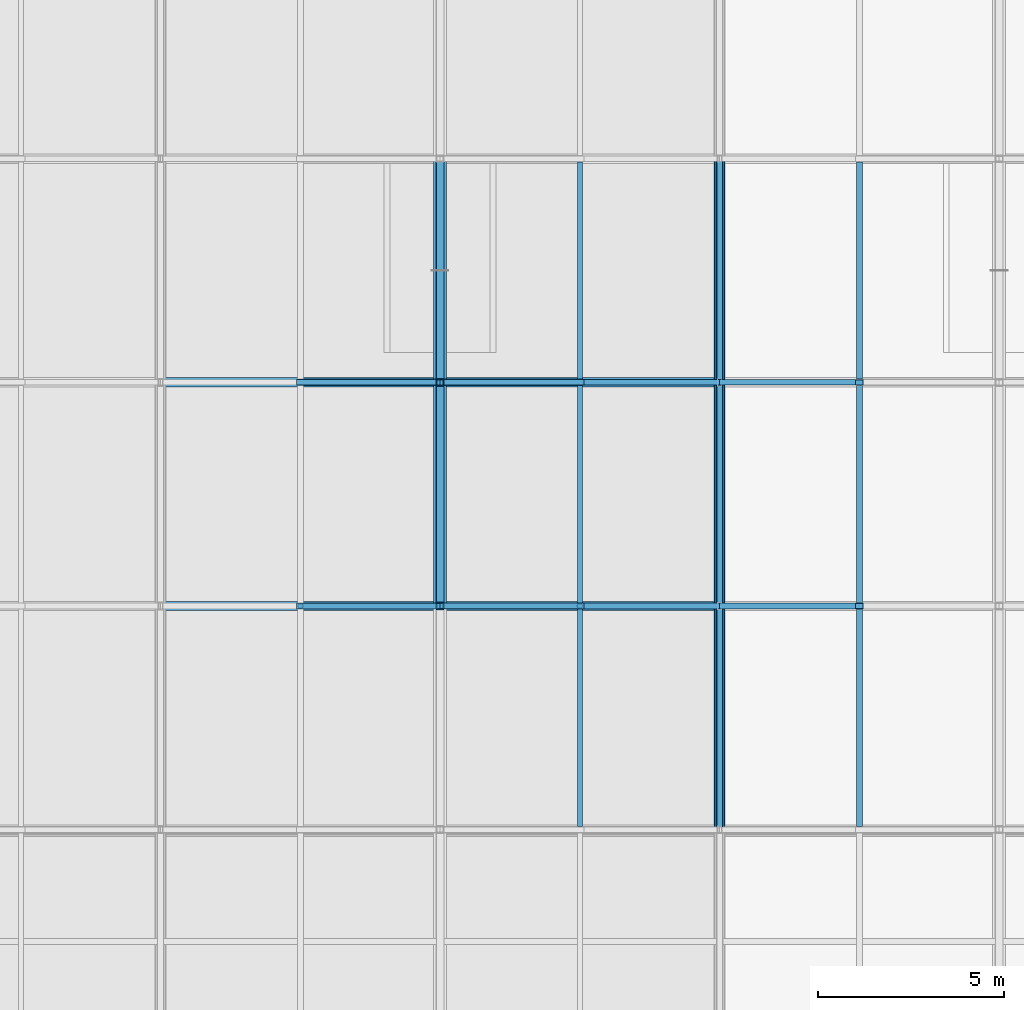
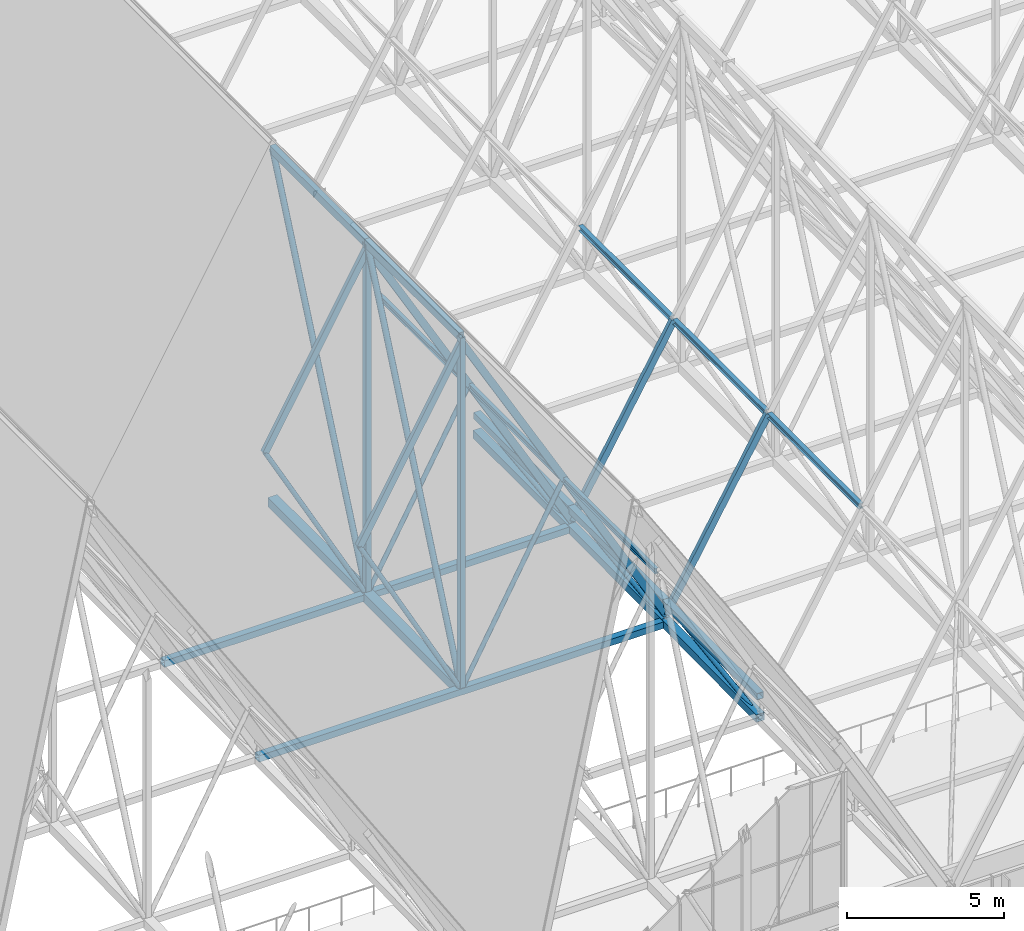
# One storey, part 134 of 324: 31 members, 6 beams.
"""IFC4 building model written with IfcOpenShell, lengths in metres."""

from ifc_helpers import new_model, si_unit, direction, frame, origin, origin_2d, place, context, subcontext, project, spatial, hollow_rectangle, hollow_circle, i_section, extrude, material, material_profile, profile_set, type_object, element, save


model = new_model("IFC4")

# Units and contexts
model_context = context("Model", 3, precision=1e-05, world=origin(), true_north=direction((0.0, 1.0)))
body_context = subcontext(model_context, "Body", "Model", "MODEL_VIEW")
ifc_project = project(units=[si_unit("LENGTHUNIT", "METRE"), si_unit("AREAUNIT", "SQUARE_METRE"), si_unit("VOLUMEUNIT", "CUBIC_METRE"), si_unit("PLANEANGLEUNIT", "RADIAN"), si_unit("MASSUNIT", "GRAM", prefix="KILO")], contexts=[model_context])

# Site, building, storey
site_placement = place(None, origin())
site = spatial("IfcSite", under=ifc_project, at=site_placement, CompositionType="ELEMENT")
building_placement = place(site_placement, origin())
building = spatial("IfcBuilding", under=site, at=building_placement, Name="Solvenia Promenade Tram Depot", CompositionType="ELEMENT")
storey_placement = place(building_placement, frame((0.0, 0.0, 4.5)))
storey = spatial("IfcBuildingStorey", under=building, at=storey_placement, Name="L01", CompositionType="ELEMENT", Elevation=4.5)

# Members
ifc_material_1 = material(Name="Structural steel ASTM A500 Gr. C", Category="steel")
ifc_material_profile_1 = material_profile(ifc_material_1, hollow_circle(Radius=0.109619140625, WallThickness=0.008056640625, at=origin_2d()), Name="CHS219.1x8", Category="steel")
ifc_profile_set_1 = profile_set([ifc_material_profile_1], Name="Structural steel ASTM A500 Gr. C")
member_type_1 = type_object("IfcMemberType", Name="Brace-CHS219x8", PredefinedType="BRACE", material=ifc_profile_set_1)
member_1_placement = place(storey_placement, frame((82.5, 84.0, 2.614013671875), z_axis=(0.0, 0.401020841263, 0.916068930197), x_axis=(-1.0, 0.0, 0.0)))
element("IfcMember", 1, at=member_1_placement, inside=storey, type_object=member_type_1, Name="Arched Truss T12 Web Diagonal S04", PredefinedType="BRACE", context=body_context, shape_type="SweptSolid", body=[
    extrude(hollow_circle(Radius=0.109619140625, WallThickness=0.008056640625, at=origin_2d()), origin(), (0.0, 0.0, 1.0), 14.9619140625),
])
member_2_placement = place(storey_placement, frame((82.5, 90.0, 2.656005859375), z_axis=(0.0, 0.402054291977, 0.915615828993), x_axis=(-1.0, 0.0, 0.0)))
element("IfcMember", 2, at=member_2_placement, inside=storey, type_object=member_type_1, Name="Arched Truss T12 Web Diagonal S05", PredefinedType="BRACE", context=body_context, shape_type="SweptSolid", body=[
    extrude(hollow_circle(Radius=0.109619140625, WallThickness=0.008056640625, at=origin_2d()), origin(), (0.0, 0.0, 1.0), 14.92333984375),
])
ifc_material_profile_2 = material_profile(ifc_material_1, hollow_rectangle(XDim=0.14990234375, YDim=0.25, WallThickness=0.010009765625, at=origin_2d()), Name="HSS250x150x10", Category="steel")
ifc_profile_set_2 = profile_set([ifc_material_profile_2], Name="Structural steel ASTM A500 Gr. C")
member_type_2 = type_object("IfcMemberType", Name="Chord-HSS250x150x10", PredefinedType="CHORD", material=ifc_profile_set_2)
for number, where, z_axis, x_axis, name in (
    (3, (78.75, 84.0, 9.501220703125), (0.494861595532, 0.0, 0.868971806946), (0.0, 1.0, 0.0), "Zigzag Gable 06 West Upper Rafter"),
    (4, (82.5, 84.0, 16.086181640625), (0.494861595532, 0.0, -0.868971806946), (0.0, 1.0, 0.0), "Zigzag Gable 06 East Upper Rafter"),
    (5, (86.25, 84.0, 9.501220703125), (0.494861595532, 0.0, -0.868971806946), (0.0, 1.0, 0.0), "Zigzag Gable 06 East Lower Rafter"),
    (6, (78.75, 90.0, 9.501220703125), (0.494861595532, 0.0, 0.868971806946), (0.0, 1.0, 0.0), "Zigzag Gable 06 West Upper Rafter"),
    (7, (82.5, 90.0, 16.086181640625), (0.494861595532, 0.0, -0.868971806946), (0.0, 1.0, 0.0), "Zigzag Gable 06 East Upper Rafter"),
    (8, (86.25, 90.0, 9.501220703125), (0.494861595532, 0.0, -0.868971806946), (0.0, 1.0, 0.0), "Zigzag Gable 06 East Lower Rafter"),
):
    element("IfcMember", number, at=place(storey_placement, frame(where, z_axis=z_axis, x_axis=x_axis)), inside=storey, type_object=member_type_2, Name=name, PredefinedType="CHORD", context=body_context, shape_type="SweptSolid", body=[
        extrude(hollow_rectangle(XDim=0.14990234375, YDim=0.25, WallThickness=0.010009765625, at=origin_2d()), origin(), (0.0, 0.0, 1.0), 7.577880859375),
    ])
for number, where, z_axis, x_axis, name in (
    (9, (90.0, 84.0, 2.921142578125), (0.501516268578, 0.0, 0.865148214095), (0.0, 1.0, 0.0), "Zigzag Gable 07 West Lower Rafter"),
    (10, (90.0, 90.0, 2.921142578125), (0.501516268578, 0.0, 0.865148214095), (0.0, 1.0, 0.0), "Zigzag Gable 07 West Lower Rafter"),
):
    element("IfcMember", number, at=place(storey_placement, frame(where, z_axis=z_axis, x_axis=x_axis)), inside=storey, type_object=member_type_2, Name=name, PredefinedType="CHORD", context=body_context, shape_type="SweptSolid", body=[
        extrude(hollow_rectangle(XDim=0.14990234375, YDim=0.25, WallThickness=0.010009765625, at=origin_2d()), origin(), (0.0, 0.0, 1.0), 7.477294921875),
    ])
ifc_material_profile_3 = material_profile(ifc_material_1, hollow_rectangle(XDim=0.25, YDim=0.25, WallThickness=0.010009765625, at=origin_2d()), Name="HSS250x250x10", Category="steel")
ifc_profile_set_3 = profile_set([ifc_material_profile_3], Name="Structural steel ASTM A500 Gr. C")
member_type_3 = type_object("IfcMemberType", Name="Chord-HSS250x250x10", PredefinedType="CHORD", material=ifc_profile_set_3)
for number, where, z_axis, x_axis, name in (
    (11, (90.0, 78.0, 3.3798828125), (0.0, 1.0, 0.0), (-1.0, 0.0, 0.0), "Arched Truss T13 Upper Chord S03"),
    (12, (90.0, 84.0, 3.3798828125), (0.0, 1.0, 0.0), (-1.0, 0.0, 0.0), "Arched Truss T13 Upper Chord S04"),
    (13, (90.0, 90.0, 3.3798828125), (0.0, 1.0, 0.0), (-1.0, 0.0, 0.0), "Arched Truss T13 Upper Chord S05"),
):
    element("IfcMember", number, at=place(storey_placement, frame(where, z_axis=z_axis, x_axis=x_axis)), inside=storey, type_object=member_type_3, Name=name, PredefinedType="CHORD", context=body_context, shape_type="SweptSolid", body=[
        extrude(hollow_rectangle(XDim=0.25, YDim=0.25, WallThickness=0.010009765625, at=origin_2d()), origin(), (0.0, 0.0, 1.0), 6.0),
    ])
for number, where, z_axis, x_axis, name in (
    (14, (75.0, 84.0, 2.614013671875), (1.0, 0.0, 0.0), (0.0, 1.0, 0.0), "Bottom-Chord Catenary Lateral Tie 048"),
    (15, (75.0, 90.0, 2.656005859375), (1.0, 0.0, 0.0), (0.0, 1.0, 0.0), "Bottom-Chord Catenary Lateral Tie 049"),
):
    element("IfcMember", number, at=place(storey_placement, frame(where, z_axis=z_axis, x_axis=x_axis)), inside=storey, type_object=member_type_3, Name=name, PredefinedType="CHORD", context=body_context, shape_type="SweptSolid", body=[
        extrude(hollow_rectangle(XDim=0.25, YDim=0.25, WallThickness=0.010009765625, at=origin_2d()), origin(), (0.0, 0.0, 1.0), 15.0),
    ])
ifc_material_profile_4 = material_profile(ifc_material_1, hollow_rectangle(XDim=0.199951171875, YDim=0.300048828125, WallThickness=0.012451171875, at=origin_2d()), Name="HSS300x200x12.5", Category="steel")
ifc_profile_set_4 = profile_set([ifc_material_profile_4], Name="Structural steel ASTM A500 Gr. C")
member_type_4 = type_object("IfcMemberType", Name="Chord-HSS300x200x12", PredefinedType="CHORD", material=ifc_profile_set_4)
for number, where, z_axis, x_axis, name in (
    (16, (82.5, 84.0, 16.320068359375), (0.0, 1.0, 0.0), (-1.0, 0.0, 0.0), "Arched Truss T12 Upper Chord S04"),
    (17, (82.5, 90.0, 16.320068359375), (0.0, 1.0, 0.0), (-1.0, 0.0, 0.0), "Arched Truss T12 Upper Chord S05"),
):
    element("IfcMember", number, at=place(storey_placement, frame(where, z_axis=z_axis, x_axis=x_axis)), inside=storey, type_object=member_type_4, Name=name, PredefinedType="CHORD", context=body_context, shape_type="SweptSolid", body=[
        extrude(hollow_rectangle(XDim=0.199951171875, YDim=0.300048828125, WallThickness=0.012451171875, at=origin_2d()), origin(), (0.0, 0.0, 1.0), 6.0),
    ])
ifc_material_profile_5 = material_profile(ifc_material_1, hollow_rectangle(XDim=0.300048828125, YDim=0.300048828125, WallThickness=0.012451171875, at=origin_2d()), Name="HSS300x300x12.5", Category="steel")
ifc_profile_set_5 = profile_set([ifc_material_profile_5], Name="Structural steel ASTM A500 Gr. C")
member_type_5 = type_object("IfcMemberType", Name="Chord-HSS300x300x12", PredefinedType="CHORD", material=ifc_profile_set_5)
member_3_placement = place(storey_placement, frame((90.0, 78.0, 2.5439453125), z_axis=(0.0, 0.999931818432, 0.011677263667), x_axis=(-1.0, 0.0, 0.0)))
element("IfcMember", 18, at=member_3_placement, inside=storey, type_object=member_type_5, Name="Arched Truss T13 Bottom Chord S03", PredefinedType="CHORD", context=body_context, shape_type="SweptSolid", body=[
    extrude(hollow_rectangle(XDim=0.300048828125, YDim=0.300048828125, WallThickness=0.012451171875, at=origin_2d()), origin(), (0.0, 0.0, 1.0), 6.00048828125),
])
member_4_placement = place(storey_placement, frame((90.0, 84.0, 2.614013671875), z_axis=(0.0, 0.999975510013, 0.006998526519), x_axis=(-1.0, 0.0, 0.0)))
element("IfcMember", 19, at=member_4_placement, inside=storey, type_object=member_type_5, Name="Arched Truss T13 Bottom Chord S04", PredefinedType="CHORD", context=body_context, shape_type="SweptSolid", body=[
    extrude(hollow_rectangle(XDim=0.300048828125, YDim=0.300048828125, WallThickness=0.012451171875, at=origin_2d()), origin(), (0.0, 0.0, 1.0), 6.000244140625),
])
member_5_placement = place(storey_placement, frame((90.0, 90.0, 2.656005859375), z_axis=(0.0, 0.999997310351, 0.002319329699), x_axis=(-1.0, 0.0, 0.0)))
element("IfcMember", 20, at=member_5_placement, inside=storey, type_object=member_type_5, Name="Arched Truss T13 Bottom Chord S05", PredefinedType="CHORD", context=body_context, shape_type="SweptSolid", body=[
    extrude(hollow_rectangle(XDim=0.300048828125, YDim=0.300048828125, WallThickness=0.012451171875, at=origin_2d()), origin(), (0.0, 0.0, 1.0), 6.0),
])
ifc_material_profile_6 = material_profile(ifc_material_1, hollow_rectangle(XDim=0.35009765625, YDim=0.35009765625, WallThickness=0.01611328125, at=origin_2d()), Name="HSS350x350x16", Category="steel")
ifc_profile_set_6 = profile_set([ifc_material_profile_6], Name="Structural steel ASTM A500 Gr. C")
member_type_6 = type_object("IfcMemberType", Name="Chord-HSS350x350x16", PredefinedType="CHORD", material=ifc_profile_set_6)
member_6_placement = place(storey_placement, frame((82.5, 84.0, 2.614013671875), z_axis=(0.0, 0.999975510013, 0.006998526519), x_axis=(-1.0, 0.0, 0.0)))
element("IfcMember", 21, at=member_6_placement, inside=storey, type_object=member_type_6, Name="Arched Truss T12 Bottom Chord S04", PredefinedType="CHORD", context=body_context, shape_type="SweptSolid", body=[
    extrude(hollow_rectangle(XDim=0.35009765625, YDim=0.35009765625, WallThickness=0.01611328125, at=origin_2d()), origin(), (0.0, 0.0, 1.0), 6.000244140625),
])
member_7_placement = place(storey_placement, frame((82.5, 90.0, 2.656005859375), z_axis=(0.0, 0.999997310351, 0.002319329699), x_axis=(-1.0, 0.0, 0.0)))
element("IfcMember", 22, at=member_7_placement, inside=storey, type_object=member_type_6, Name="Arched Truss T12 Bottom Chord S05", PredefinedType="CHORD", context=body_context, shape_type="SweptSolid", body=[
    extrude(hollow_rectangle(XDim=0.35009765625, YDim=0.35009765625, WallThickness=0.01611328125, at=origin_2d()), origin(), (0.0, 0.0, 1.0), 6.0),
])
ifc_material_profile_7 = material_profile(ifc_material_1, hollow_rectangle(XDim=0.199951171875, YDim=0.199951171875, WallThickness=0.010009765625, at=origin_2d()), Name="HSS200x200x10", Category="steel")
ifc_profile_set_7 = profile_set([ifc_material_profile_7], Name="Structural steel ASTM A500 Gr. C")
member_type_7 = type_object("IfcMemberType", Name="Post-HSS200x200x10", PredefinedType="POST", material=ifc_profile_set_7)
member_8_placement = place(storey_placement, frame((82.5, 84.0, 2.614013671875), z_axis=(0.0, 0.0, 1.0), x_axis=(1.0, 0.0, 0.0)))
element("IfcMember", 23, at=member_8_placement, inside=storey, type_object=member_type_7, Name="Arched Truss T12 Web Post S03", PredefinedType="POST", context=body_context, shape_type="SweptSolid", body=[
    extrude(hollow_rectangle(XDim=0.199951171875, YDim=0.199951171875, WallThickness=0.010009765625, at=origin_2d()), origin(), (0.0, 0.0, 1.0), 13.7060546875),
])
member_9_placement = place(storey_placement, frame((82.5, 90.0, 2.656005859375), z_axis=(0.0, 0.0, 1.0), x_axis=(1.0, 0.0, 0.0)))
element("IfcMember", 24, at=member_9_placement, inside=storey, type_object=member_type_7, Name="Arched Truss T12 Web Post S04", PredefinedType="POST", context=body_context, shape_type="SweptSolid", body=[
    extrude(hollow_rectangle(XDim=0.199951171875, YDim=0.199951171875, WallThickness=0.010009765625, at=origin_2d()), origin(), (0.0, 0.0, 1.0), 13.6640625),
])

# Beams
ifc_material_2 = material(Name="Structural steel ASTM A992 Gr. 50", Category="steel")
ifc_material_profile_8 = material_profile(ifc_material_2, i_section(OverallWidth=0.133056640625, OverallDepth=0.20703125, WebThickness=0.005859375, FlangeThickness=0.00830078125, FilletRadius=0.009033203125, at=origin_2d()), Name="W200x27", Category="steel")
ifc_profile_set_8 = profile_set([ifc_material_profile_8], Name="Structural steel ASTM A992 Gr. 50")
beam_type_1 = type_object("IfcBeamType", Name="Purlin-W200x27", PredefinedType="USERDEFINED", material=ifc_profile_set_8)
for number, where, z_axis, x_axis, name in (
    (25, (86.25, 78.0849609375, 9.484130859375), (0.0, 1.0, 0.0), (-1.0, 0.0, 0.0), "Gable Roof Purlin E-0106"),
    (26, (86.25, 84.0849609375, 9.484130859375), (0.0, 1.0, 0.0), (-1.0, 0.0, 0.0), "Gable Roof Purlin E-0108"),
    (27, (86.25, 90.0849609375, 9.484130859375), (0.0, 1.0, 0.0), (-1.0, 0.0, 0.0), "Gable Roof Purlin E-0110"),
):
    element("IfcBeam", number, at=place(storey_placement, frame(where, z_axis=z_axis, x_axis=x_axis)), inside=storey, type_object=beam_type_1, Name=name, ObjectType="PURLIN", PredefinedType="USERDEFINED", context=body_context, shape_type="SweptSolid", body=[
        extrude(i_section(OverallWidth=0.133056640625, OverallDepth=0.20703125, WebThickness=0.005859375, FlangeThickness=0.00830078125, FilletRadius=0.009033203125, at=origin_2d()), origin(), (0.0, 0.0, 1.0), 5.830078125),
    ])
ifc_material_profile_9 = material_profile(ifc_material_2, i_section(OverallWidth=0.1650390625, OverallDepth=0.200927734375, WebThickness=0.006103515625, FlangeThickness=0.01025390625, FilletRadius=0.010009765625, at=origin_2d()), Name="W200x36", Category="steel")
ifc_profile_set_9 = profile_set([ifc_material_profile_9], Name="Structural steel ASTM A992 Gr. 50")
beam_type_2 = type_object("IfcBeamType", Name="Purlin-W200x36", PredefinedType="USERDEFINED", material=ifc_profile_set_9)
for number, where, z_axis, x_axis, name in (
    (28, (93.75, 78.0849609375, 9.375732421875), (0.0, 1.0, 0.0), (-1.0, 0.0, 0.0), "Gable Roof Purlin W-0125"),
    (29, (93.75, 84.0849609375, 9.375732421875), (0.0, 1.0, 0.0), (-1.0, 0.0, 0.0), "Gable Roof Purlin W-0127"),
    (30, (93.75, 90.0849609375, 9.375732421875), (0.0, 1.0, 0.0), (-1.0, 0.0, 0.0), "Gable Roof Purlin W-0129"),
):
    element("IfcBeam", number, at=place(storey_placement, frame(where, z_axis=z_axis, x_axis=x_axis)), inside=storey, type_object=beam_type_2, Name=name, ObjectType="PURLIN", PredefinedType="USERDEFINED", context=body_context, shape_type="SweptSolid", body=[
        extrude(i_section(OverallWidth=0.1650390625, OverallDepth=0.200927734375, WebThickness=0.006103515625, FlangeThickness=0.01025390625, FilletRadius=0.010009765625, at=origin_2d()), origin(), (0.0, 0.0, 1.0), 5.830078125),
    ])

# Members
ifc_material_profile_10 = material_profile(ifc_material_1, hollow_circle(Radius=0.084228515625, WallThickness=0.008056640625, at=origin_2d()), Name="CHS168.3x8", Category="steel")
ifc_profile_set_10 = profile_set([ifc_material_profile_10], Name="Structural steel ASTM A500 Gr. C")
member_type_8 = type_object("IfcMemberType", Name="WebDiag-CHS168x8", PredefinedType="BRACE", material=ifc_profile_set_10)
member_10_placement = place(storey_placement, frame((90.0, 78.0, 2.5439453125), z_axis=(0.0, 0.990433608353, 0.13799009908), x_axis=(-1.0, 0.0, 0.0)))
element("IfcMember", 31, at=member_10_placement, inside=storey, type_object=member_type_8, Name="Arched Truss T13 Web Diagonal S03", PredefinedType="BRACE", context=body_context, shape_type="SweptSolid", body=[
    extrude(hollow_circle(Radius=0.084228515625, WallThickness=0.008056640625, at=origin_2d()), origin(), (0.0, 0.0, 1.0), 6.057861328125),
])
member_11_placement = place(storey_placement, frame((90.0, 84.0, 2.614013671875), z_axis=(0.0, 0.991951613347, 0.126617521609), x_axis=(-1.0, 0.0, 0.0)))
element("IfcMember", 32, at=member_11_placement, inside=storey, type_object=member_type_8, Name="Arched Truss T13 Web Diagonal S04", PredefinedType="BRACE", context=body_context, shape_type="SweptSolid", body=[
    extrude(hollow_circle(Radius=0.084228515625, WallThickness=0.008056640625, at=origin_2d()), origin(), (0.0, 0.0, 1.0), 6.048583984375),
])
member_12_placement = place(storey_placement, frame((90.0, 90.0, 2.656005859375), z_axis=(0.0, 0.992800749036, 0.119777596879), x_axis=(-1.0, 0.0, 0.0)))
element("IfcMember", 33, at=member_12_placement, inside=storey, type_object=member_type_8, Name="Arched Truss T13 Web Diagonal S05", PredefinedType="BRACE", context=body_context, shape_type="SweptSolid", body=[
    extrude(hollow_circle(Radius=0.084228515625, WallThickness=0.008056640625, at=origin_2d()), origin(), (0.0, 0.0, 1.0), 6.04345703125),
])
for number, where, z_axis, x_axis, name in (
    (34, (82.5, 84.0, 2.614013671875), (-0.478197616955, 0.0, 0.878252263953), (0.0, -1.0, 0.0), "Zigzag Gable 06 West Knee Strut"),
    (35, (82.5, 84.0, 2.614013671875), (0.478197616955, 0.0, 0.878252263953), (0.0, 1.0, 0.0), "Zigzag Gable 06 East Knee Strut"),
):
    element("IfcMember", number, at=place(storey_placement, frame(where, z_axis=z_axis, x_axis=x_axis)), inside=storey, type_object=member_type_8, Name=name, PredefinedType="BRACE", context=body_context, shape_type="SweptSolid", body=[
        extrude(hollow_circle(Radius=0.084228515625, WallThickness=0.008056640625, at=origin_2d()), origin(), (0.0, 0.0, 1.0), 7.842041015625),
    ])
for number, where, z_axis, x_axis, name in (
    (36, (82.5, 90.0, 2.656005859375), (-0.480455559287, 0.0, 0.877019073652), (0.0, -1.0, 0.0), "Zigzag Gable 06 West Knee Strut"),
    (37, (82.5, 90.0, 2.656005859375), (0.480455559287, 0.0, 0.877019073652), (0.0, 1.0, 0.0), "Zigzag Gable 06 East Knee Strut"),
):
    element("IfcMember", number, at=place(storey_placement, frame(where, z_axis=z_axis, x_axis=x_axis)), inside=storey, type_object=member_type_8, Name=name, PredefinedType="BRACE", context=body_context, shape_type="SweptSolid", body=[
        extrude(hollow_circle(Radius=0.084228515625, WallThickness=0.008056640625, at=origin_2d()), origin(), (0.0, 0.0, 1.0), 7.80517578125),
    ])

save(model, "model.ifc")
